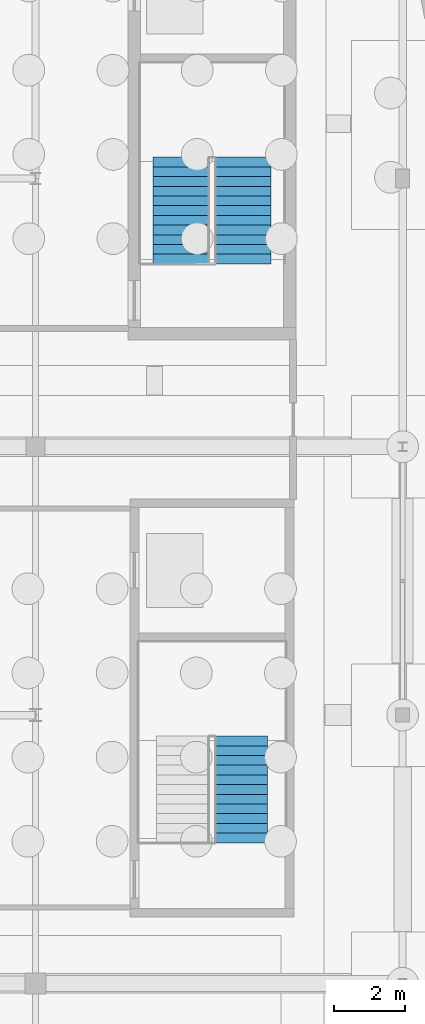
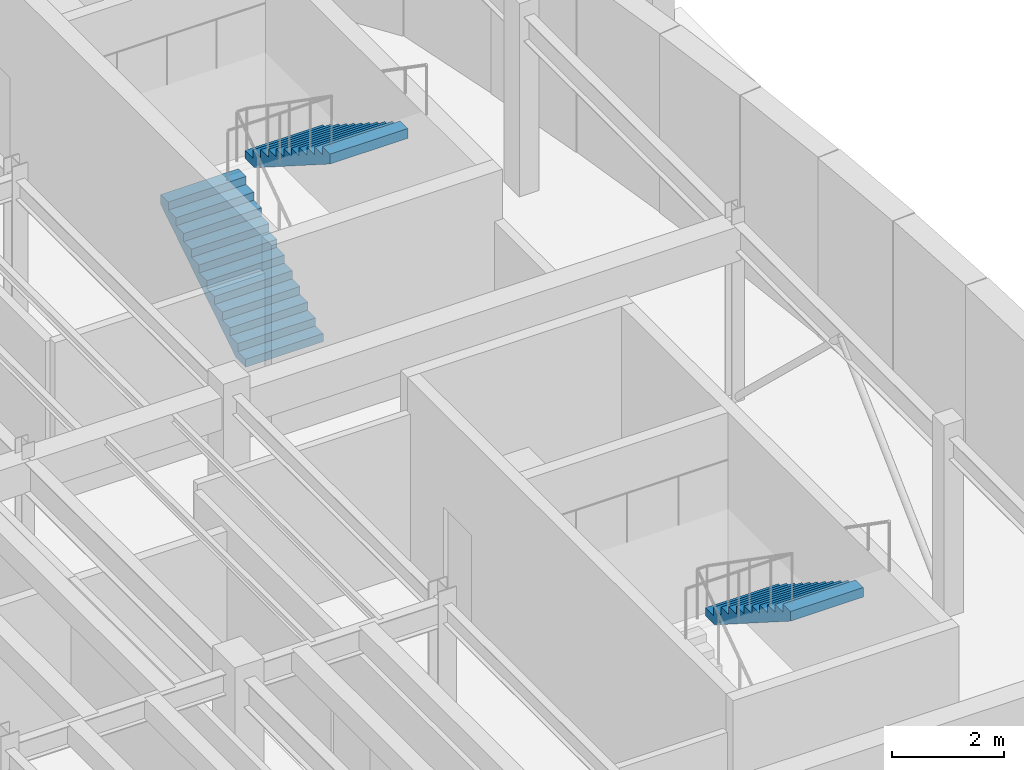
# One storey, part 40 of 45: 3 stair flights, 2 elements without a shape of their own.
"""IFC4 building model written with IfcOpenShell, lengths in metres."""

from ifc_helpers import new_model, si_unit, direction, frame, origin, place, context, subcontext, project, spatial, polyline, outline, extrude, material, layer, layer_set, type_object, element, aggregate, save


model = new_model("IFC4")

# Units and contexts
model_context = context("Model", 3, precision=1e-05, world=origin(), true_north=direction((0.0, 1.0)))
body_context = subcontext(model_context, "Body", "Model", "MODEL_VIEW")
ifc_project = project(units=[si_unit("LENGTHUNIT", "METRE"), si_unit("AREAUNIT", "SQUARE_METRE"), si_unit("VOLUMEUNIT", "CUBIC_METRE"), si_unit("PLANEANGLEUNIT", "RADIAN"), si_unit("MASSUNIT", "GRAM", prefix="KILO")], contexts=[model_context])

# Site, building, storey
site_placement = place(None, origin())
site = spatial("IfcSite", under=ifc_project, at=site_placement, CompositionType="ELEMENT")
building_placement = place(site_placement, origin())
building = spatial("IfcBuilding", under=site, at=building_placement, Name="Corveleigh Park Community Centre", CompositionType="ELEMENT")
storey_placement = place(building_placement, frame((0.0, 0.0, -4.199951171875)))
storey = spatial("IfcBuildingStorey", under=building, at=storey_placement, Name="B1", CompositionType="ELEMENT", Elevation=-4.199951171875)

# Stair, stair flight
ifc_material = material(Name="Concrete C32/40", Category="concrete")
stair_type_1 = type_object("IfcStairType", Name="STR-HT-1500-420", PredefinedType="USERDEFINED", material=ifc_material)
stair_1_placement = place(storey_placement, origin())
stair_1 = element("IfcStair", 1, at=stair_1_placement, inside=storey, type_object=stair_type_1, Name="Protected escape stair ST6 (B1 to L00)", ObjectType="TWO_RETURN_STAIR", PredefinedType="USERDEFINED")
ifc_layer_1 = layer(ifc_material, 0.175048828125, Name="Concrete C32/40", Category="concrete")
ifc_layer_set_1 = layer_set([ifc_layer_1], Name="Concrete C32/40")
stair_flight_type_1 = type_object("IfcStairFlightType", Name="FLG-RC-1500", PredefinedType="STRAIGHT", material=ifc_layer_set_1)
stair_flight_1_placement = place(storey_placement, frame((163.820068359375, 80.804931640625, 2.099853515625), z_axis=(0.0, 0.0, 1.0), x_axis=(0.0, -1.0, 0.0)))
stair_flight_1 = element("IfcStairFlight", 2, at=stair_flight_1_placement, type_object=stair_flight_type_1, Name="ST6 flight 2", NumberOfRisers=12, NumberOfTreads=11, PredefinedType="STRAIGHT", RiserHeight=0.175, TreadLength=0.275, context=body_context, shape_type="SweptSolid", body=[
    extrude(outline(polyline([(0.0, 0.0), (0.0, 0.175048828125), (0.27490234375, 0.175048828125), (0.27490234375, 0.35009765625), (0.550048828125, 0.35009765625), (0.550048828125, 0.52490234375), (0.824951171875, 0.52490234375), (0.824951171875, 0.699951171875), (1.10009765625, 0.699951171875), (1.10009765625, 0.875), (1.375, 0.875), (1.375, 1.050048828125), (1.64990234375, 1.050048828125), (1.64990234375, 1.22509765625), (1.925048828125, 1.22509765625), (1.925048828125, 1.39990234375), (2.199951171875, 1.39990234375), (2.199951171875, 1.574951171875), (2.47509765625, 1.574951171875), (2.47509765625, 1.75), (2.75, 1.75), (2.75, 1.925048828125), (3.02490234375, 1.925048828125), (3.02490234375, 2.10009765625), (3.02490234375, 1.717529296875), (0.326171875, 0.0), (0.0, 0.0)])), frame((0.0, 0.75, 0.0), z_axis=(0.0, -1.0, 0.0), x_axis=(1.0, 0.0, 0.0)), (0.0, 0.0, 1.0), 1.5),
])
aggregate(stair_1, [stair_flight_1])

# Stair, stair flights
stair_type_2 = type_object("IfcStairType", Name="STR-HT-1600-420", PredefinedType="USERDEFINED", material=ifc_material)
stair_2_placement = place(storey_placement, origin())
stair_2 = element("IfcStair", 3, at=stair_2_placement, inside=storey, type_object=stair_type_2, Name="Protected escape stair ST2 (B1 to L00)", ObjectType="TWO_RETURN_STAIR", PredefinedType="USERDEFINED")
ifc_layer_2 = layer(ifc_material, 0.179931640625, Name="Concrete C32/40", Category="concrete")
ifc_layer_set_2 = layer_set([ifc_layer_2], Name="Concrete C32/40")
stair_flight_type_2 = type_object("IfcStairFlightType", Name="FLG-RC-1600", PredefinedType="STRAIGHT", material=ifc_layer_set_2)
stair_flight_2_placement = place(storey_placement, frame((162.1298828125, 94.179931640625, 0.0), z_axis=(0.0, 0.0, 1.0), x_axis=(0.0, 1.0, 0.0)))
stair_flight_2 = element("IfcStairFlight", 4, at=stair_flight_2_placement, type_object=stair_flight_type_2, Name="ST2 flight 1", NumberOfRisers=12, NumberOfTreads=11, PredefinedType="STRAIGHT", RiserHeight=0.175, TreadLength=0.275, context=body_context, shape_type="SweptSolid", body=[
    extrude(outline(polyline([(0.0, 0.0), (0.0, 0.175048828125), (0.27490234375, 0.175048828125), (0.27490234375, 0.35009765625), (0.550048828125, 0.35009765625), (0.550048828125, 0.52490234375), (0.824951171875, 0.52490234375), (0.824951171875, 0.699951171875), (1.10009765625, 0.699951171875), (1.10009765625, 0.875), (1.375, 0.875), (1.375, 1.050048828125), (1.64990234375, 1.050048828125), (1.64990234375, 1.22509765625), (1.925048828125, 1.22509765625), (1.925048828125, 1.39990234375), (2.199951171875, 1.39990234375), (2.199951171875, 1.574951171875), (2.47509765625, 1.574951171875), (2.47509765625, 1.75), (2.75, 1.75), (2.75, 1.925048828125), (3.02490234375, 1.925048828125), (3.02490234375, 2.10009765625), (3.02490234375, 1.711669921875), (0.335205078125, 0.0), (0.0, 0.0)])), frame((0.0, 0.800048828125, 0.0), z_axis=(0.0, -1.0, 0.0), x_axis=(1.0, 0.0, 0.0)), (0.0, 0.0, 1.0), 1.60009765625),
])
stair_flight_3_placement = place(storey_placement, frame((163.8701171875, 97.205078125, 2.099853515625), z_axis=(0.0, 0.0, 1.0), x_axis=(0.0, -1.0, 0.0)))
stair_flight_3 = element("IfcStairFlight", 5, at=stair_flight_3_placement, type_object=stair_flight_type_2, Name="ST2 flight 2", NumberOfRisers=12, NumberOfTreads=11, PredefinedType="STRAIGHT", RiserHeight=0.175, TreadLength=0.275, context=body_context, shape_type="SweptSolid", body=[
    extrude(outline(polyline([(0.0, 0.0), (0.0, 0.175048828125), (0.27490234375, 0.175048828125), (0.27490234375, 0.35009765625), (0.550048828125, 0.35009765625), (0.550048828125, 0.52490234375), (0.824951171875, 0.52490234375), (0.824951171875, 0.699951171875), (1.10009765625, 0.699951171875), (1.10009765625, 0.875), (1.375, 0.875), (1.375, 1.050048828125), (1.64990234375, 1.050048828125), (1.64990234375, 1.22509765625), (1.925048828125, 1.22509765625), (1.925048828125, 1.39990234375), (2.199951171875, 1.39990234375), (2.199951171875, 1.574951171875), (2.47509765625, 1.574951171875), (2.47509765625, 1.75), (2.75, 1.75), (2.75, 1.925048828125), (3.02490234375, 1.925048828125), (3.02490234375, 2.10009765625), (3.02490234375, 1.711669921875), (0.335205078125, 0.0), (0.0, 0.0)])), frame((0.0, 0.800048828125, 0.0), z_axis=(0.0, -1.0, 0.0), x_axis=(1.0, 0.0, 0.0)), (0.0, 0.0, 1.0), 1.60009765625),
])
aggregate(stair_2, [stair_flight_2, stair_flight_3])

save(model, "model.ifc")
